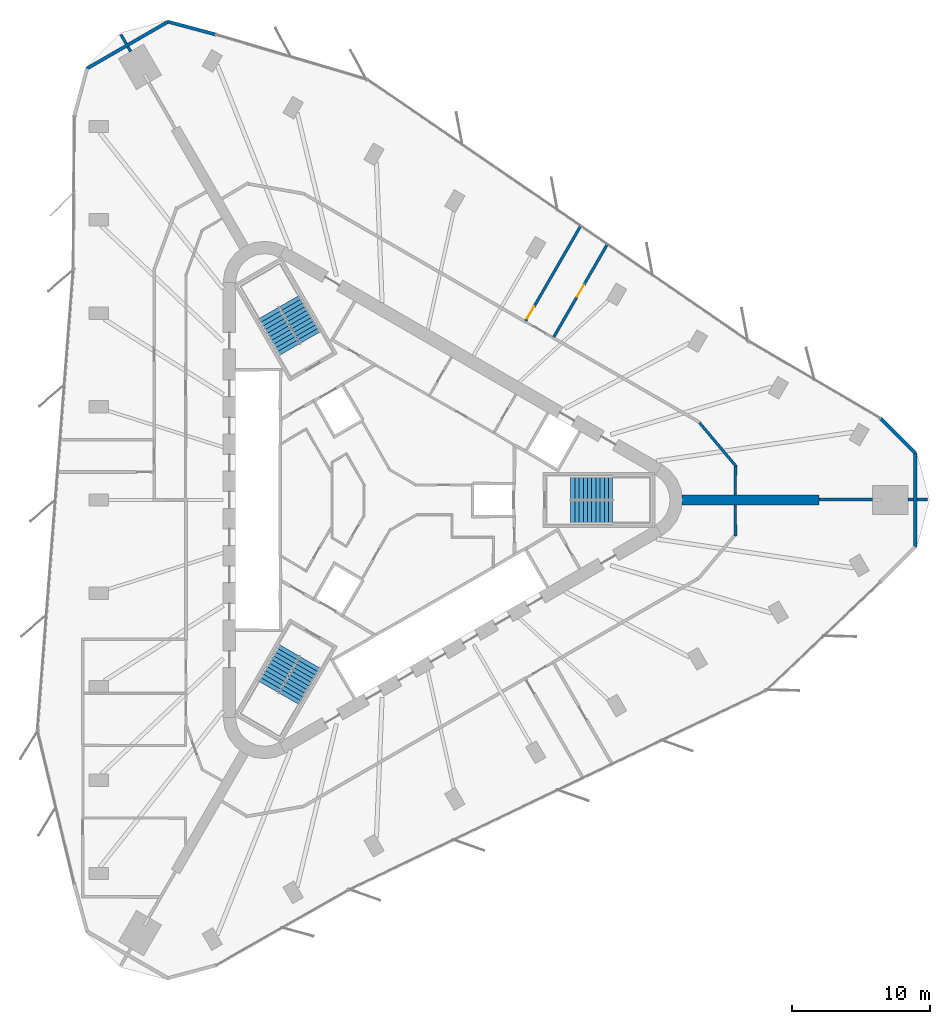
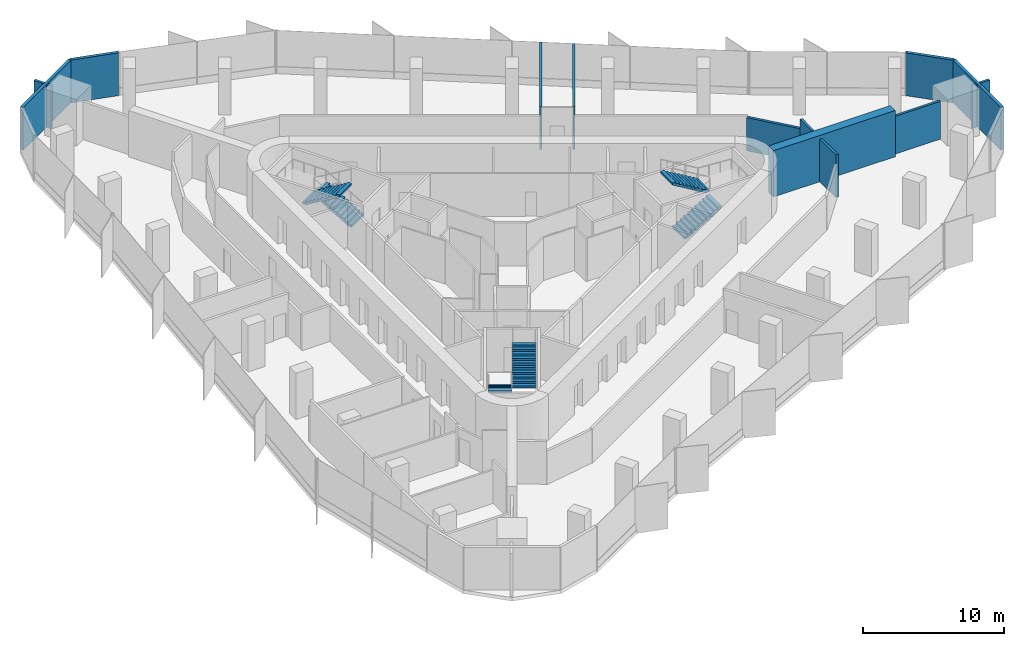
# One storey, part 12 of 13: 15 walls, 6 stair flights, 2 doors, 2 openings, 3 elements without a shape of their own.
"""IFC4 building model written with IfcOpenShell, lengths in metres."""

from ifc_helpers import new_model, si_unit, direction, frame, frame_2d, origin, place, context, subcontext, project, spatial, polyline, rectangle, outline, extrude, material, layer, layer_set, type_object, element, fill, aggregate, save


model = new_model("IFC4")

# Units and contexts
model_context = context("Model", 3, precision=1e-05, world=origin(), true_north=direction((0.0, 1.0)))
body_context = subcontext(model_context, "Body", "Model", "MODEL_VIEW")
ifc_project = project(units=[si_unit("LENGTHUNIT", "METRE"), si_unit("AREAUNIT", "SQUARE_METRE"), si_unit("VOLUMEUNIT", "CUBIC_METRE"), si_unit("PLANEANGLEUNIT", "RADIAN"), si_unit("MASSUNIT", "GRAM", prefix="KILO")], contexts=[model_context])

# Site, building, storey
site_placement = place(None, origin())
site = spatial("IfcSite", under=ifc_project, at=site_placement, CompositionType="ELEMENT")
building_placement = place(site_placement, origin())
building = spatial("IfcBuilding", under=site, at=building_placement, Name="Tanit Gate Tower", CompositionType="ELEMENT")
storey_placement = place(building_placement, frame((0.0, 0.0, 265.199951171875)))
storey = spatial("IfcBuildingStorey", under=building, at=storey_placement, Name="L60", CompositionType="ELEMENT", Elevation=265.199951171875)

# Walls
ifc_material_1 = material(Name="Concrete C50/60", Category="concrete")
ifc_layer_1 = layer(ifc_material_1, 0.699951171875)
ifc_layer_set_1 = layer_set([ifc_layer_1], Name="BUTTRESS FIN 700 C50/60")
wall_type_1 = type_object("IfcWallType", Name="BUTTRESS FIN 700 C50/60", PredefinedType="SHEAR", material=ifc_layer_set_1)
wall_1_placement = place(storey_placement, frame((21.14990234375, 0.0, 0.0), z_axis=(0.0, 0.0, 1.0), x_axis=(1.0, 0.0, 0.0)))
element("IfcWall", 1, at=wall_1_placement, inside=storey, type_object=wall_type_1, Name="BUTTRESS FIN", PredefinedType="SHEAR", context=body_context, shape_type="SweptSolid", body=[
    extrude(rectangle(XDim=9.964599609375, YDim=0.699951171875, at=frame_2d((4.982421875, 0.0))), origin(), (0.0, 0.0, 1.0), 4.0),
])
ifc_material_2 = material(Name="Concrete C30/37 with bronze anodised aluminium cladding", Category="concrete")
ifc_layer_2 = layer(ifc_material_2, 0.239990234375)
ifc_layer_set_2 = layer_set([ifc_layer_2], Name="Facade wall bronze clad 240")
wall_type_2 = type_object("IfcWallType", Name="Facade wall bronze clad 240", PredefinedType="SOLIDWALL", material=ifc_layer_set_2)
wall_2_placement = place(storey_placement, frame((-12.670166015625, 33.763671875, 0.0), z_axis=(0.0, 0.0, 1.0), x_axis=(-0.965927175343, 0.258814010312, 0.0)))
element("IfcWall", 2, at=wall_2_placement, inside=storey, type_object=wall_type_2, Name="Bronze-clad facade wall L60 NW.arc1", PredefinedType="SOLIDWALL", context=body_context, shape_type="SweptSolid", body=[
    extrude(rectangle(XDim=3.549560546875, YDim=0.239990234375, at=frame_2d((1.77490234375, 0.0))), origin(), (0.0, 0.0, 1.0), 3.699951171875),
])
for number, where, z_axis, x_axis, name in (
    (3, (-16.098876953125, 34.682373046875, 0.0), (0.0, 0.0, 1.0), (-0.866022320763, -0.500005339912, 0.0), "Bronze-clad facade wall L60 NW.arc2"),
    (4, (38.085205078125, -3.399169921875, 0.0), (0.0, 0.0, 1.0), (0.0, 1.0, 0.0), "Bronze-clad facade wall L60 E.arc2"),
):
    element("IfcWall", number, at=place(storey_placement, frame(where, z_axis=z_axis, x_axis=x_axis)), inside=storey, type_object=wall_type_2, Name=name, PredefinedType="SOLIDWALL", context=body_context, shape_type="SweptSolid", body=[
        extrude(rectangle(XDim=6.79833984375, YDim=0.239990234375, at=frame_2d((3.399169921875, 0.0))), origin(), (0.0, 0.0, 1.0), 3.699951171875),
    ])
wall_3_placement = place(storey_placement, frame((38.085205078125, 3.399169921875, 0.0), z_axis=(0.0, 0.0, 1.0), x_axis=(-0.707106781187, 0.707106781187, 0.0)))
element("IfcWall", 5, at=wall_3_placement, inside=storey, type_object=wall_type_2, Name="Bronze-clad facade wall L60 E.arc3", PredefinedType="SOLIDWALL", context=body_context, shape_type="SweptSolid", body=[
    extrude(rectangle(XDim=3.535888671875, YDim=0.239990234375, at=frame_2d((1.76806640625, 0.0))), origin(), (0.0, 0.0, 1.0), 3.699951171875),
])
ifc_material_3 = material(Name="Fire-rated gypsum board partition")
ifc_layer_3 = layer(ifc_material_3, 0.199951171875)
ifc_layer_set_3 = layer_set([ifc_layer_3], Name="INT-WALL-COMPARTMENT")
wall_type_3 = type_object("IfcWallType", Name="INT-WALL-COMPARTMENT", PredefinedType="PARTITIONING", material=ifc_layer_set_3)
wall_4_placement = place(storey_placement, frame((25.12109375, 2.40283203125, 0.0), z_axis=(0.0, 0.0, 1.0), x_axis=(-0.642809831665, 0.766025796116, 0.0)))
element("IfcWall", 6, at=wall_4_placement, inside=storey, type_object=wall_type_3, Name="Wall Compartment W100", PredefinedType="PARTITIONING", context=body_context, shape_type="SweptSolid", body=[
    extrude(rectangle(XDim=4.164794921875, YDim=0.199951171875, at=frame_2d((2.08251953125, 0.0))), origin(), (0.0, 0.0, 1.0), 2.880126953125),
])
wall_5_placement = place(storey_placement, frame((25.0205078125, 0.35009765625, 0.0), z_axis=(0.0, 0.0, 1.0), x_axis=(0.012014998271, 0.999927817303, 0.0)))
element("IfcWall", 7, at=wall_5_placement, inside=storey, type_object=wall_type_3, Name="Wall Compartment W101", PredefinedType="PARTITIONING", context=body_context, shape_type="SweptSolid", body=[
    extrude(rectangle(XDim=2.093017578125, YDim=0.199951171875, at=frame_2d((1.04638671875, 0.0))), origin(), (0.0, 0.0, 1.0), 3.699951171875),
])
wall_6_placement = place(storey_placement, frame((25.047607421875, -2.608154296875, 0.0), z_axis=(0.0, 0.0, 1.0), x_axis=(-0.012000433251, 0.999927992208, 0.0)))
element("IfcWall", 8, at=wall_6_placement, inside=storey, type_object=wall_type_3, Name="Wall Compartment W106", PredefinedType="PARTITIONING", context=body_context, shape_type="SweptSolid", body=[
    extrude(rectangle(XDim=2.25830078125, YDim=0.199951171875, at=frame_2d((1.129150390625, 0.0))), origin(), (0.0, 0.0, 1.0), 3.699951171875),
])
wall_7_placement = place(storey_placement, frame((-19.52001953125, 33.74951171875, 0.0), z_axis=(0.0, 0.0, 1.0), x_axis=(0.499929430274, -0.866066143401, 0.0)))
element("IfcWall", 9, at=wall_7_placement, inside=storey, type_object=wall_type_3, Name="Wall Compartment W122", PredefinedType="PARTITIONING", context=body_context, shape_type="SweptSolid", body=[
    extrude(rectangle(XDim=0.78271484375, YDim=0.199951171875, at=frame_2d((0.391357421875, 0.0))), origin(), (0.0, 0.0, 1.0), 3.699951171875),
])
wall_8_placement = place(storey_placement, frame((-19.008544921875, 32.86376953125, 0.0), z_axis=(0.0, 0.0, 1.0), x_axis=(0.500061319399, -0.865989998118, 0.0)))
element("IfcWall", 10, at=wall_8_placement, inside=storey, type_object=wall_type_3, Name="Wall Compartment W122x1", PredefinedType="PARTITIONING", context=body_context, shape_type="SweptSolid", body=[
    extrude(rectangle(XDim=0.39501953125, YDim=0.199951171875, at=frame_2d((0.197509765625, 0.0))), origin(), (0.0, 0.0, 1.0), 3.699951171875),
])

# Wall, opening, door
wall_9_placement = place(storey_placement, frame((11.864501953125, 11.81005859375, 0.0), z_axis=(0.0, 0.0, 1.0), x_axis=(0.500025956197, 0.866010417449, 0.0)))
wall_9 = element("IfcWall", 11, at=wall_9_placement, inside=storey, type_object=wall_type_3, Name="Wall Compartment W124", PredefinedType="PARTITIONING", context=body_context, shape_type="SweptSolid", body=[
    extrude(rectangle(XDim=7.775390625, YDim=0.199951171875, at=frame_2d((3.8876953125, 0.0))), origin(), (0.0, 0.0, 1.0), 3.699951171875),
])
opening_1_placement = place(wall_9_placement, frame((3.3876953125, 0.0, 0.0)))
opening_1 = element("IfcOpeningElement", 12, at=opening_1_placement, cuts=wall_9, Name="Opening F10-S17-29", PredefinedType="OPENING", context=body_context, shape_type="SweptSolid", body=[
    extrude(rectangle(XDim=1.0, YDim=2.10009765625, at=frame_2d((0.5, 1.050048828125))), frame((0.0, 0.10986328125, 0.0), z_axis=(0.0, -1.0, 0.0), x_axis=(1.0, 0.0, 0.0)), (0.0, 0.0, 1.0), 0.219970703125),
])
ifc_material_4 = material(Name="Fire-rated steel door leaf", Category="steel")
door_type = type_object("IfcDoorType", Name="INT-DOOR-FIRE-1000", OperationType="NOTDEFINED", PredefinedType="USERDEFINED", material=ifc_material_4)
door_1_placement = place(opening_1_placement, origin())
door_1 = element("IfcDoor", 13, at=door_1_placement, inside=storey, type_object=door_type, Name="Door F10-S17-29", ObjectType="FIRE DOOR", OperationType="SINGLE_SWING_LEFT", OverallHeight=2.10009765625, OverallWidth=1.0, PredefinedType="USERDEFINED", context=body_context, shape_type="SweptSolid", body=[
    extrude(rectangle(XDim=1.0, YDim=2.10009765625, at=frame_2d((0.5, 1.050048828125))), frame((0.0, 0.02490234375, 0.0), z_axis=(0.0, -1.0, 0.0), x_axis=(1.0, 0.0, 0.0)), (0.0, 0.0, 1.0), 0.050048828125),
])
fill(opening_1, door_1)

wall_10_placement = place(storey_placement, frame((13.81689453125, 19.87158203125, 0.0), z_axis=(0.0, 0.0, 1.0), x_axis=(-0.499989797406, -0.866031294175, 0.0)))
wall_10 = element("IfcWall", 14, at=wall_10_placement, inside=storey, type_object=wall_type_3, Name="Wall Compartment W125", PredefinedType="PARTITIONING", context=body_context, shape_type="SweptSolid", body=[
    extrude(rectangle(XDim=7.957763671875, YDim=0.199951171875, at=frame_2d((3.97900390625, 0.0))), origin(), (0.0, 0.0, 1.0), 3.699951171875),
])
opening_2_placement = place(wall_10_placement, frame((6.7578125, 0.0, 0.0)))
opening_2 = element("IfcOpeningElement", 15, at=opening_2_placement, cuts=wall_10, Name="Opening F10-S17-30", PredefinedType="OPENING", context=body_context, shape_type="SweptSolid", body=[
    extrude(rectangle(XDim=1.0, YDim=2.10009765625, at=frame_2d((0.5, 1.050048828125))), frame((0.0, 0.10986328125, 0.0), z_axis=(0.0, -1.0, 0.0), x_axis=(1.0, 0.0, 0.0)), (0.0, 0.0, 1.0), 0.219970703125),
])
door_2_placement = place(opening_2_placement, origin())
door_2 = element("IfcDoor", 16, at=door_2_placement, inside=storey, type_object=door_type, Name="Door F10-S17-30", ObjectType="FIRE DOOR", OperationType="SINGLE_SWING_RIGHT", OverallHeight=2.10009765625, OverallWidth=1.0, PredefinedType="USERDEFINED", context=body_context, shape_type="SweptSolid", body=[
    extrude(rectangle(XDim=1.0, YDim=2.10009765625, at=frame_2d((0.5, 1.050048828125))), frame((0.0, 0.02490234375, 0.0), z_axis=(0.0, -1.0, 0.0), x_axis=(1.0, 0.0, 0.0)), (0.0, 0.0, 1.0), 0.050048828125),
])
fill(opening_2, door_2)

# Walls
wall_11_placement = place(storey_placement, frame((38.988037109375, 0.030029296875, 0.0), z_axis=(0.0, 0.0, 1.0), x_axis=(-1.0, 0.0, 0.0)))
element("IfcWall", 17, at=wall_11_placement, inside=storey, type_object=wall_type_3, Name="Wall Compartment W127", PredefinedType="PARTITIONING", context=body_context, shape_type="SweptSolid", body=[
    extrude(rectangle(XDim=0.782958984375, YDim=0.199951171875, at=frame_2d((0.3916015625, 0.0))), origin(), (0.0, 0.0, 1.0), 3.699951171875),
])
wall_12_placement = place(storey_placement, frame((37.965087890625, 0.030029296875, 0.0), z_axis=(0.0, 0.0, 1.0), x_axis=(-1.0, 0.0, 0.0)))
element("IfcWall", 18, at=wall_12_placement, inside=storey, type_object=wall_type_3, Name="Wall Compartment W127x1", PredefinedType="PARTITIONING", context=body_context, shape_type="SweptSolid", body=[
    extrude(rectangle(XDim=0.394775390625, YDim=0.199951171875, at=frame_2d((0.197265625, 0.0))), origin(), (0.0, 0.0, 1.0), 3.699951171875),
])
wall_13_placement = place(storey_placement, frame((34.97021484375, 0.030029296875, 0.0), z_axis=(0.0, 0.0, 1.0), x_axis=(-1.0, 0.0, 0.0)))
element("IfcWall", 19, at=wall_13_placement, inside=storey, type_object=wall_type_3, Name="Wall Compartment W126", PredefinedType="PARTITIONING", context=body_context, shape_type="SweptSolid", body=[
    extrude(rectangle(XDim=3.855712890625, YDim=0.199951171875, at=frame_2d((1.927734375, 0.0))), origin(), (0.0, 0.0, 1.0), 3.27001953125),
])

# Stair, stair flights
ifc_material_5 = material(Name="Concrete C40/50", Category="concrete")
stair_type = type_object("IfcStairType", Name="INT-STAIR-EXIT", PredefinedType="HALF_TURN_STAIR", material=ifc_material_5)
stair_1_placement = place(storey_placement, origin())
stair_1 = element("IfcStair", 20, at=stair_1_placement, inside=storey, type_object=stair_type, Name="L60 STAIR S1", PredefinedType="HALF_TURN_STAIR")
ifc_material_6 = material(Name="Concrete C40/50", Category="concrete")
stair_flight_type = type_object("IfcStairFlightType", Name="INT-STAIR-FLIGHT", PredefinedType="STRAIGHT", material=ifc_material_6)
stair_flight_1_placement = place(storey_placement, frame((13.094970703125, -0.8525390625, 0.0), z_axis=(0.0, 0.0, 1.0), x_axis=(1.0, 0.0, 0.0)))
stair_flight_1 = element("IfcStairFlight", 21, at=stair_flight_1_placement, type_object=stair_flight_type, Name="S1 flight 1", NumberOfRisers=11, NumberOfTreads=10, PredefinedType="STRAIGHT", RiserHeight=0.181818182, TreadLength=0.3051, context=body_context, shape_type="SweptSolid", body=[
    extrude(outline(polyline([(0.0, 0.0), (0.0, 0.181884765625), (0.30517578125, 0.181884765625), (0.30517578125, 0.363525390625), (0.610107421875, 0.363525390625), (0.610107421875, 0.54541015625), (0.915283203125, 0.54541015625), (0.915283203125, 0.727294921875), (1.220458984375, 0.727294921875), (1.220458984375, 0.9091796875), (1.525390625, 0.9091796875), (1.525390625, 1.0908203125), (1.83056640625, 1.0908203125), (1.83056640625, 1.272705078125), (2.1357421875, 1.272705078125), (2.1357421875, 1.45458984375), (2.44091796875, 1.45458984375), (2.44091796875, 1.636474609375), (2.745849609375, 1.636474609375), (2.745849609375, 1.818115234375), (3.051025390625, 1.818115234375), (3.051025390625, 2.0), (3.051025390625, 1.643798828125), (0.292724609375, 0.0), (0.0, 0.0)])), frame((0.0, 0.84765625, 0.0), z_axis=(0.0, -1.0, 0.0), x_axis=(1.0, 0.0, 0.0)), (0.0, 0.0, 1.0), 1.695068359375),
])
stair_flight_2_placement = place(storey_placement, frame((16.14599609375, 0.8525390625, 2.0), z_axis=(0.0, 0.0, 1.0), x_axis=(-1.0, 0.0, 0.0)))
stair_flight_2 = element("IfcStairFlight", 22, at=stair_flight_2_placement, type_object=stair_flight_type, Name="S1 flight 2", NumberOfRisers=11, NumberOfTreads=10, PredefinedType="STRAIGHT", RiserHeight=0.181818182, TreadLength=0.3051, context=body_context, shape_type="SweptSolid", body=[
    extrude(outline(polyline([(0.0, 0.0), (0.0, 0.181884765625), (0.30517578125, 0.181884765625), (0.30517578125, 0.363525390625), (0.610107421875, 0.363525390625), (0.610107421875, 0.54541015625), (0.915283203125, 0.54541015625), (0.915283203125, 0.727294921875), (1.220458984375, 0.727294921875), (1.220458984375, 0.9091796875), (1.525390625, 0.9091796875), (1.525390625, 1.0908203125), (1.83056640625, 1.0908203125), (1.83056640625, 1.272705078125), (2.1357421875, 1.272705078125), (2.1357421875, 1.45458984375), (2.44091796875, 1.45458984375), (2.44091796875, 1.636474609375), (2.745849609375, 1.636474609375), (2.745849609375, 1.818115234375), (3.051025390625, 1.818115234375), (3.051025390625, 2.0), (3.051025390625, 1.643798828125), (0.292724609375, 0.0), (0.0, 0.0)])), frame((0.0, 0.84765625, 0.0), z_axis=(0.0, -1.0, 0.0), x_axis=(1.0, 0.0, 0.0)), (0.0, 0.0, 1.0), 1.695068359375),
])
aggregate(stair_1, [stair_flight_1, stair_flight_2])

stair_2_placement = place(storey_placement, origin())
stair_2 = element("IfcStair", 23, at=stair_2_placement, inside=storey, type_object=stair_type, Name="L60 STAIR S2", PredefinedType="HALF_TURN_STAIR")
stair_flight_3_placement = place(storey_placement, frame((-5.808349609375, 11.766357421875, 0.0), z_axis=(0.0, 0.0, 1.0), x_axis=(-0.5, 0.866025403784, 0.0)))
stair_flight_3 = element("IfcStairFlight", 24, at=stair_flight_3_placement, type_object=stair_flight_type, Name="S2 flight 1", NumberOfRisers=11, NumberOfTreads=10, PredefinedType="STRAIGHT", RiserHeight=0.181818182, TreadLength=0.30492, context=body_context, shape_type="SweptSolid", body=[
    extrude(outline(polyline([(0.0, 0.0), (0.0, 0.181884765625), (0.304931640625, 0.181884765625), (0.304931640625, 0.363525390625), (0.60986328125, 0.363525390625), (0.60986328125, 0.54541015625), (0.914794921875, 0.54541015625), (0.914794921875, 0.727294921875), (1.2197265625, 0.727294921875), (1.2197265625, 0.9091796875), (1.524658203125, 0.9091796875), (1.524658203125, 1.0908203125), (1.82958984375, 1.0908203125), (1.82958984375, 1.272705078125), (2.134521484375, 1.272705078125), (2.134521484375, 1.45458984375), (2.439453125, 1.45458984375), (2.439453125, 1.636474609375), (2.744384765625, 1.636474609375), (2.744384765625, 1.818115234375), (3.04931640625, 1.818115234375), (3.04931640625, 2.0), (3.04931640625, 1.6435546875), (0.292724609375, 0.0), (0.0, 0.0)])), frame((0.0, 0.84716796875, 0.0), z_axis=(0.0, -1.0, 0.0), x_axis=(1.0, 0.0, 0.0)), (0.0, 0.0, 1.0), 1.694091796875),
])
stair_flight_4_placement = place(storey_placement, frame((-8.810302734375, 13.553955078125, 2.0), z_axis=(0.0, 0.0, 1.0), x_axis=(0.5, -0.866025403784, 0.0)))
stair_flight_4 = element("IfcStairFlight", 25, at=stair_flight_4_placement, type_object=stair_flight_type, Name="S2 flight 2", NumberOfRisers=11, NumberOfTreads=10, PredefinedType="STRAIGHT", RiserHeight=0.181818182, TreadLength=0.30492, context=body_context, shape_type="SweptSolid", body=[
    extrude(outline(polyline([(0.0, 0.0), (0.0, 0.181884765625), (0.304931640625, 0.181884765625), (0.304931640625, 0.363525390625), (0.60986328125, 0.363525390625), (0.60986328125, 0.54541015625), (0.914794921875, 0.54541015625), (0.914794921875, 0.727294921875), (1.2197265625, 0.727294921875), (1.2197265625, 0.9091796875), (1.524658203125, 0.9091796875), (1.524658203125, 1.0908203125), (1.82958984375, 1.0908203125), (1.82958984375, 1.272705078125), (2.134521484375, 1.272705078125), (2.134521484375, 1.45458984375), (2.439453125, 1.45458984375), (2.439453125, 1.636474609375), (2.744384765625, 1.636474609375), (2.744384765625, 1.818115234375), (3.04931640625, 1.818115234375), (3.04931640625, 2.0), (3.04931640625, 1.6435546875), (0.292724609375, 0.0), (0.0, 0.0)])), frame((0.0, 0.84716796875, 0.0), z_axis=(0.0, -1.0, 0.0), x_axis=(1.0, 0.0, 0.0)), (0.0, 0.0, 1.0), 1.694091796875),
])
aggregate(stair_2, [stair_flight_3, stair_flight_4])

stair_3_placement = place(storey_placement, origin())
stair_3 = element("IfcStair", 26, at=stair_3_placement, inside=storey, type_object=stair_type, Name="L60 STAIR S3", PredefinedType="HALF_TURN_STAIR")
stair_flight_5_placement = place(storey_placement, frame((-7.285888671875, -10.914306640625, 0.0), z_axis=(0.0, 0.0, 1.0), x_axis=(-0.5, -0.866025403784, 0.0)))
stair_flight_5 = element("IfcStairFlight", 27, at=stair_flight_5_placement, type_object=stair_flight_type, Name="S3 flight 1", NumberOfRisers=11, NumberOfTreads=10, PredefinedType="STRAIGHT", RiserHeight=0.181818182, TreadLength=0.3051, context=body_context, shape_type="SweptSolid", body=[
    extrude(outline(polyline([(0.0, 0.0), (0.0, 0.181884765625), (0.30517578125, 0.181884765625), (0.30517578125, 0.363525390625), (0.610107421875, 0.363525390625), (0.610107421875, 0.54541015625), (0.915283203125, 0.54541015625), (0.915283203125, 0.727294921875), (1.220458984375, 0.727294921875), (1.220458984375, 0.9091796875), (1.525390625, 0.9091796875), (1.525390625, 1.0908203125), (1.83056640625, 1.0908203125), (1.83056640625, 1.272705078125), (2.1357421875, 1.272705078125), (2.1357421875, 1.45458984375), (2.44091796875, 1.45458984375), (2.44091796875, 1.636474609375), (2.745849609375, 1.636474609375), (2.745849609375, 1.818115234375), (3.051025390625, 1.818115234375), (3.051025390625, 2.0), (3.051025390625, 1.643798828125), (0.292724609375, 0.0), (0.0, 0.0)])), frame((0.0, 0.84765625, 0.0), z_axis=(0.0, -1.0, 0.0), x_axis=(1.0, 0.0, 0.0)), (0.0, 0.0, 1.0), 1.695068359375),
])
stair_flight_6_placement = place(storey_placement, frame((-7.334716796875, -14.4091796875, 2.0), z_axis=(0.0, 0.0, 1.0), x_axis=(0.5, 0.866025403784, 0.0)))
stair_flight_6 = element("IfcStairFlight", 28, at=stair_flight_6_placement, type_object=stair_flight_type, Name="S3 flight 2", NumberOfRisers=11, NumberOfTreads=10, PredefinedType="STRAIGHT", RiserHeight=0.181818182, TreadLength=0.3051, context=body_context, shape_type="SweptSolid", body=[
    extrude(outline(polyline([(0.0, 0.0), (0.0, 0.181884765625), (0.30517578125, 0.181884765625), (0.30517578125, 0.363525390625), (0.610107421875, 0.363525390625), (0.610107421875, 0.54541015625), (0.915283203125, 0.54541015625), (0.915283203125, 0.727294921875), (1.220458984375, 0.727294921875), (1.220458984375, 0.9091796875), (1.525390625, 0.9091796875), (1.525390625, 1.0908203125), (1.83056640625, 1.0908203125), (1.83056640625, 1.272705078125), (2.1357421875, 1.272705078125), (2.1357421875, 1.45458984375), (2.44091796875, 1.45458984375), (2.44091796875, 1.636474609375), (2.745849609375, 1.636474609375), (2.745849609375, 1.818115234375), (3.051025390625, 1.818115234375), (3.051025390625, 2.0), (3.051025390625, 1.643798828125), (0.292724609375, 0.0), (0.0, 0.0)])), frame((0.0, 0.84765625, 0.0), z_axis=(0.0, -1.0, 0.0), x_axis=(1.0, 0.0, 0.0)), (0.0, 0.0, 1.0), 1.695068359375),
])
aggregate(stair_3, [stair_flight_5, stair_flight_6])

save(model, "model.ifc")
